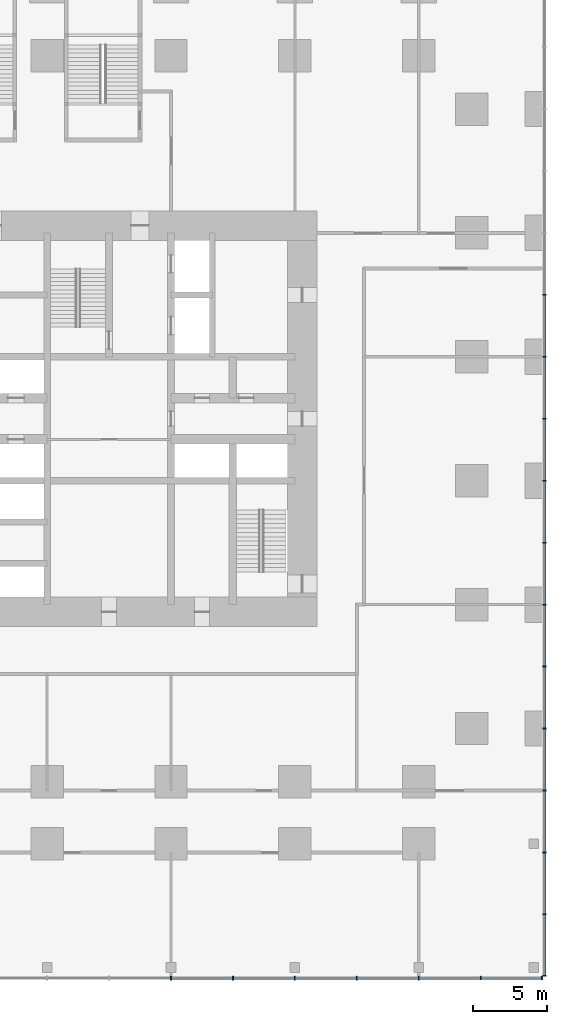
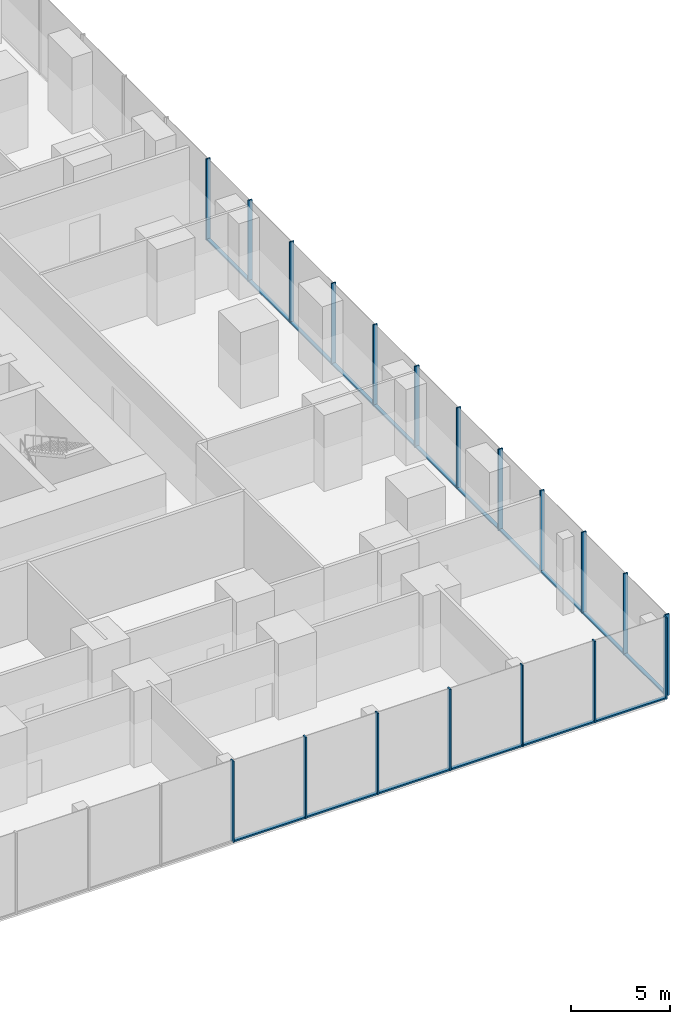
# One storey, part 19 of 33: 36 members, 2 elements without a shape of their own.
"""IFC4 building model written with IfcOpenShell, lengths in metres."""

import ifcopenshell
import ifcopenshell.guid

model = None  # the IFC model being written
_history = None  # IfcOwnerHistory: only IFC2X3 demands one
_inside = {}  # id of a spatial element -> (the spatial element, [elements in it])
_under = {}  # id of a project, library or spatial element -> (it, [spatial elements below it])
_declared = {}  # id of a project -> (the project, [libraries it declares])
_typed = {}  # id of a type object -> (the type object, [elements of that type])
_made_of = {}  # id of a material, layer set ... -> (it, [elements and type objects made of it])


def new_model(schema):
    """Start an empty IFC model of exactly this schema.

    Asked for "IFC4X3", IfcOpenShell would pick the latest addendum, in which some entities
    have other attributes; the version numbers below select the first issue.
    IFC2X3 requires an IfcOwnerHistory on every rooted entity: one is made here for all.
    """
    global model, _history
    if schema == "IFC4X3":
        model = ifcopenshell.file(schema_version=(4, 3, 0, 0))
    else:
        model = ifcopenshell.file(schema=schema)
    _inside.clear()
    _under.clear()
    _declared.clear()
    _typed.clear()
    _made_of.clear()
    _history = None
    if model.schema == "IFC2X3":
        org = make("IfcOrganization", Name="unknown")
        user = make(
            "IfcPersonAndOrganization",
            ThePerson=make("IfcPerson", FamilyName="unknown"),
            TheOrganization=org,
        )
        app = make(
            "IfcApplication",
            ApplicationDeveloper=org,
            Version="unknown",
            ApplicationFullName="unknown",
            ApplicationIdentifier="unknown",
        )
        _history = make(
            "IfcOwnerHistory",
            OwningUser=user,
            OwningApplication=app,
            ChangeAction="ADDED",
            CreationDate=0,
        )
    return model


def make(cls, **values):
    """One entity of the class cls with the attributes given. An attribute that is None is left unset."""
    return model.create_entity(
        cls, **{name: value for name, value in values.items() if value is not None}
    )


def rooted(cls, **values):
    """An entity with a GlobalId (a new one), such as an element, a storey or a relation."""
    return make(cls, GlobalId=ifcopenshell.guid.new(), OwnerHistory=_history, **values)


def si_unit(unit_type, name, prefix=None):
    """IfcSIUnit, for example si_unit("LENGTHUNIT", "METRE", prefix="MILLI")."""
    return make("IfcSIUnit", UnitType=unit_type, Prefix=prefix, Name=name)


def assignment(units):
    """IfcUnitAssignment: the units of a project."""
    return None if units is None else make("IfcUnitAssignment", Units=units)


def point(xyz):
    """IfcCartesianPoint."""
    return None if xyz is None else make("IfcCartesianPoint", Coordinates=xyz)


def direction(xyz):
    """IfcDirection."""
    return None if xyz is None else make("IfcDirection", DirectionRatios=xyz)


def frame(location, z_axis=None, x_axis=None):
    """IfcAxis2Placement3D, a coordinate frame: its origin and axes. An axis left out is left unset."""
    return make(
        "IfcAxis2Placement3D",
        Location=point(location),
        Axis=direction(z_axis),
        RefDirection=direction(x_axis),
    )


def frame_2d(location, x_axis=None):
    """IfcAxis2Placement2D, a coordinate frame in the plane: its origin and x axis."""
    return make(
        "IfcAxis2Placement2D", Location=point(location), RefDirection=direction(x_axis)
    )


def origin():
    """The frame at (0, 0, 0) with its axes left unset."""
    return frame((0.0, 0.0, 0.0))


def origin_2d():
    """The frame at (0, 0) in the plane with its x axis left unset."""
    return frame_2d((0.0, 0.0))


def place(relative_to, where):
    """IfcLocalPlacement: puts the frame where relative to a parent placement (None: the world)."""
    return make(
        "IfcLocalPlacement", PlacementRelTo=relative_to, RelativePlacement=where
    )


def context(
    kind, dimensions, precision=None, world=None, true_north=None, identifier=None
):
    """IfcGeometricRepresentationContext, for example the 3D "Model" context."""
    return make(
        "IfcGeometricRepresentationContext",
        ContextIdentifier=identifier,
        ContextType=kind,
        CoordinateSpaceDimension=dimensions,
        Precision=precision,
        WorldCoordinateSystem=world,
        TrueNorth=true_north,
    )


def subcontext(parent, identifier, kind, view, scale=None):
    """IfcGeometricRepresentationSubContext, for example "Body" below "Model"."""
    return make(
        "IfcGeometricRepresentationSubContext",
        ContextIdentifier=identifier,
        ContextType=kind,
        ParentContext=parent,
        TargetScale=scale,
        TargetView=view,
    )


def project(units=None, contexts=None):
    """IfcProject with its units and contexts."""
    return rooted(
        "IfcProject",
        Name="project",
        RepresentationContexts=contexts,
        UnitsInContext=assignment(units),
    )


def spatial(cls, under=None, at=None, **own):
    """A site, building, storey or space (cls), placed at a placement, below another one or the project."""
    s = rooted(cls, ObjectPlacement=at, **own)
    if under is not None:
        _under.setdefault(under.id(), (under, []))[1].append(s)
    return s


def profile(cls, at=None, kind="AREA", **sizes):
    """A parametric profile (cls). Its sizes go by their IFC names, for example OverallWidth=200.0."""
    return make(cls, ProfileType=kind, Position=at, **sizes)


def rectangle(**sizes):
    """IfcRectangleProfileDef."""
    return profile("IfcRectangleProfileDef", **sizes)


def extrude(swept, where, along, depth):
    """IfcExtrudedAreaSolid: the profile swept, set in the frame where, extruded along a direction by depth."""
    return make(
        "IfcExtrudedAreaSolid",
        SweptArea=swept,
        Position=where,
        ExtrudedDirection=direction(along),
        Depth=depth,
    )


def shape(context_of_items, identifier, shape_type, items):
    """IfcShapeRepresentation: the items that make up one representation, for example the "Body"."""
    return make(
        "IfcShapeRepresentation",
        ContextOfItems=context_of_items,
        RepresentationIdentifier=identifier,
        RepresentationType=shape_type,
        Items=items,
    )


def material(Name=None, Category=None):
    """IfcMaterial."""
    return make("IfcMaterial", Name=Name, Category=Category)


def material_profile(
    of_material, cross_section, Name=None, Category=None, Priority=None
):
    """IfcMaterialProfile: a cross section and its material."""
    return make(
        "IfcMaterialProfile",
        Name=Name,
        Material=of_material,
        Profile=cross_section,
        Priority=Priority,
        Category=Category,
    )


def profile_set(profiles, Name=None, composite=None):
    """IfcMaterialProfileSet."""
    return make(
        "IfcMaterialProfileSet",
        Name=Name,
        MaterialProfiles=profiles,
        CompositeProfile=composite,
    )


def made_of(thing, what):
    """Note that an element or type object is made of a material, layer set ...; save() writes the relation."""
    if what is not None:
        _made_of.setdefault(what.id(), (what, []))[1].append(thing)
    return thing


def type_object(cls, material=None, **own):
    """A type object (cls), such as IfcWallType, which elements share."""
    return made_of(rooted(cls, **own), material)


def element(
    cls,
    number,
    at=None,
    inside=None,
    cuts=None,
    type_object=None,
    material=None,
    context=None,
    identifier="Body",
    shape_type=None,
    held_by="IfcProductDefinitionShape",
    body=None,
    shapes=None,
    **own,
):
    """One element of the class cls, such as IfcWall. Its Tag is "e" and its number.

    at: its placement. inside: the storey or other place that contains it. cuts: it is an
    opening in that element (IfcRelVoidsElement). A single representation is given by context,
    identifier, shape_type and body (its items); several are given by shapes. held_by: the class
    of the entity that holds the representations. save() writes the other relations.
    """
    e = rooted(cls, Tag="e%d" % number, ObjectPlacement=at, **own)
    if body is not None:
        shapes = [shape(context, identifier, shape_type, body)]
    if shapes is not None:
        e.Representation = make(held_by, Representations=shapes)
    if inside is not None:
        _inside.setdefault(inside.id(), (inside, []))[1].append(e)
    if cuts is not None:
        rooted(
            "IfcRelVoidsElement", RelatingBuildingElement=cuts, RelatedOpeningElement=e
        )
    if type_object is not None:
        _typed.setdefault(type_object.id(), (type_object, []))[1].append(e)
    return made_of(e, material)


def aggregate(whole, parts):
    """IfcRelAggregates: a whole, such as a stair, and the parts it consists of."""
    return rooted("IfcRelAggregates", RelatingObject=whole, RelatedObjects=parts)


def save(model, path):
    """Write the relations noted so far, then the file.

    IfcRelAggregates (storeys below a building ...), IfcRelContainedInSpatialStructure (elements
    in a storey), IfcRelDefinesByType, IfcRelAssociatesMaterial and IfcRelDeclares: one each for
    every whole, place, type object, material and project.
    """
    for whole, parts in _under.values():
        aggregate(whole, parts)
    for where, things in _inside.values():
        rooted(
            "IfcRelContainedInSpatialStructure",
            RelatedElements=things,
            RelatingStructure=where,
        )
    for kind, things in _typed.values():
        rooted("IfcRelDefinesByType", RelatedObjects=things, RelatingType=kind)
    for what, things in _made_of.values():
        rooted("IfcRelAssociatesMaterial", RelatedObjects=things, RelatingMaterial=what)
    for by, libraries in _declared.values():
        rooted("IfcRelDeclares", RelatingContext=by, RelatedDefinitions=libraries)
    model.write(path)


model = new_model("IFC4")

# Units and contexts
model_context = context("Model", 3, precision=1e-05, world=origin(), true_north=direction((0.0, 1.0)))
body_context = subcontext(model_context, "Body", "Model", "MODEL_VIEW")
ifc_project = project(units=[si_unit("LENGTHUNIT", "METRE"), si_unit("AREAUNIT", "SQUARE_METRE"), si_unit("VOLUMEUNIT", "CUBIC_METRE"), si_unit("PLANEANGLEUNIT", "RADIAN"), si_unit("MASSUNIT", "GRAM", prefix="KILO")], contexts=[model_context])

# Site, building, storey
site_placement = place(None, origin())
site = spatial("IfcSite", under=ifc_project, at=site_placement, CompositionType="ELEMENT")
building_placement = place(site_placement, origin())
building = spatial("IfcBuilding", under=site, at=building_placement, Name="Dunama Terrace Hotel", CompositionType="ELEMENT")
storey_placement = place(building_placement, frame((0.0, 0.0, 12.0)))
storey = spatial("IfcBuildingStorey", under=building, at=storey_placement, Name="L02", CompositionType="ELEMENT", Elevation=12.0)

# Curtain wall, members
ifc_material_1 = material(Name="Aluminium curtain wall system", Category="aluminium")
curtain_wall_type = type_object("IfcCurtainWallType", Name="Podium storefront glazing CW-E", PredefinedType="NOTDEFINED", material=ifc_material_1)
curtain_wall_1_placement = place(storey_placement, origin())
curtain_wall_1 = element("IfcCurtainWall", 1, at=curtain_wall_1_placement, inside=storey, type_object=curtain_wall_type, Name="Podium storefront glazing CW-E L02", PredefinedType="NOTDEFINED")
ifc_material_2 = material(Name="Aluminium mullion", Category="aluminium")
ifc_material_profile_1 = material_profile(ifc_material_2, rectangle(XDim=0.080078125, YDim=0.25, at=origin_2d()), Name="CWE MULLION 80X250")
ifc_profile_set_1 = profile_set([ifc_material_profile_1], Name="Aluminium mullion")
member_type_1 = type_object("IfcMemberType", Name="CWE mullion 80x250", PredefinedType="MULLION", material=ifc_profile_set_1)
member_1_placement = place(storey_placement, frame((33.60009765625, -8.52490234375, 0.0), z_axis=(0.0, 0.0, 1.0), x_axis=(1.0, 0.0, 0.0)))
member_1 = element("IfcMember", 2, at=member_1_placement, type_object=member_type_1, Name="CWE mullion", PredefinedType="MULLION", context=body_context, shape_type="SweptSolid", body=[
    extrude(rectangle(XDim=0.080078125, YDim=0.25, at=origin_2d()), origin(), (0.0, 0.0, 1.0), 5.0),
])
member_2_placement = place(storey_placement, frame((37.800048828125, -8.52490234375, 0.0), z_axis=(0.0, 0.0, 1.0), x_axis=(1.0, 0.0, 0.0)))
member_2 = element("IfcMember", 3, at=member_2_placement, type_object=member_type_1, Name="CWE mullion", PredefinedType="MULLION", context=body_context, shape_type="SweptSolid", body=[
    extrude(rectangle(XDim=0.080078125, YDim=0.25, at=origin_2d()), origin(), (0.0, 0.0, 1.0), 5.0),
])
member_3_placement = place(storey_placement, frame((42.0, -8.52490234375, 0.0), z_axis=(0.0, 0.0, 1.0), x_axis=(1.0, 0.0, 0.0)))
member_3 = element("IfcMember", 4, at=member_3_placement, type_object=member_type_1, Name="CWE mullion", PredefinedType="MULLION", context=body_context, shape_type="SweptSolid", body=[
    extrude(rectangle(XDim=0.080078125, YDim=0.25, at=origin_2d()), origin(), (0.0, 0.0, 1.0), 5.0),
])
member_4_placement = place(storey_placement, frame((46.199951171875, -8.52490234375, 0.0), z_axis=(0.0, 0.0, 1.0), x_axis=(1.0, 0.0, 0.0)))
member_4 = element("IfcMember", 5, at=member_4_placement, type_object=member_type_1, Name="CWE mullion", PredefinedType="MULLION", context=body_context, shape_type="SweptSolid", body=[
    extrude(rectangle(XDim=0.080078125, YDim=0.25, at=origin_2d()), origin(), (0.0, 0.0, 1.0), 5.0),
])
member_5_placement = place(storey_placement, frame((50.39990234375, -8.52490234375, 0.0), z_axis=(0.0, 0.0, 1.0), x_axis=(1.0, 0.0, 0.0)))
member_5 = element("IfcMember", 6, at=member_5_placement, type_object=member_type_1, Name="CWE mullion", PredefinedType="MULLION", context=body_context, shape_type="SweptSolid", body=[
    extrude(rectangle(XDim=0.080078125, YDim=0.25, at=origin_2d()), origin(), (0.0, 0.0, 1.0), 5.0),
])
member_6_placement = place(storey_placement, frame((54.60009765625, -8.52490234375, 0.0), z_axis=(0.0, 0.0, 1.0), x_axis=(1.0, 0.0, 0.0)))
member_6 = element("IfcMember", 7, at=member_6_placement, type_object=member_type_1, Name="CWE mullion", PredefinedType="MULLION", context=body_context, shape_type="SweptSolid", body=[
    extrude(rectangle(XDim=0.080078125, YDim=0.25, at=origin_2d()), origin(), (0.0, 0.0, 1.0), 5.0),
])
member_7_placement = place(storey_placement, frame((58.760009765625, -8.52490234375, 0.0), z_axis=(0.0, 0.0, 1.0), x_axis=(1.0, 0.0, 0.0)))
member_7 = element("IfcMember", 8, at=member_7_placement, type_object=member_type_1, Name="CWE mullion", PredefinedType="MULLION", context=body_context, shape_type="SweptSolid", body=[
    extrude(rectangle(XDim=0.080078125, YDim=0.25, at=origin_2d()), origin(), (0.0, 0.0, 1.0), 5.0),
])

curtain_wall_2_placement = place(storey_placement, origin())
curtain_wall_2 = element("IfcCurtainWall", 9, at=curtain_wall_2_placement, inside=storey, type_object=curtain_wall_type, Name="Podium storefront glazing CW-E L02", PredefinedType="NOTDEFINED")
member_8_placement = place(storey_placement, frame((58.925048828125, -8.360107421875, 0.0), z_axis=(0.0, 0.0, 1.0), x_axis=(0.0, 1.0, 0.0)))
member_8 = element("IfcMember", 10, at=member_8_placement, type_object=member_type_1, Name="CWE mullion", PredefinedType="MULLION", context=body_context, shape_type="SweptSolid", body=[
    extrude(rectangle(XDim=0.080078125, YDim=0.25, at=origin_2d()), origin(), (0.0, 0.0, 1.0), 5.0),
])
member_9_placement = place(storey_placement, frame((58.925048828125, -4.199951171875, 0.0), z_axis=(0.0, 0.0, 1.0), x_axis=(0.0, 1.0, 0.0)))
member_9 = element("IfcMember", 11, at=member_9_placement, type_object=member_type_1, Name="CWE mullion", PredefinedType="MULLION", context=body_context, shape_type="SweptSolid", body=[
    extrude(rectangle(XDim=0.080078125, YDim=0.25, at=origin_2d()), origin(), (0.0, 0.0, 1.0), 5.0),
])
member_10_placement = place(storey_placement, frame((58.925048828125, 0.0, 0.0), z_axis=(0.0, 0.0, 1.0), x_axis=(0.0, 1.0, 0.0)))
member_10 = element("IfcMember", 12, at=member_10_placement, type_object=member_type_1, Name="CWE mullion", PredefinedType="MULLION", context=body_context, shape_type="SweptSolid", body=[
    extrude(rectangle(XDim=0.080078125, YDim=0.25, at=origin_2d()), origin(), (0.0, 0.0, 1.0), 5.0),
])
member_11_placement = place(storey_placement, frame((58.925048828125, 4.199951171875, 0.0), z_axis=(0.0, 0.0, 1.0), x_axis=(0.0, 1.0, 0.0)))
member_11 = element("IfcMember", 13, at=member_11_placement, type_object=member_type_1, Name="CWE mullion", PredefinedType="MULLION", context=body_context, shape_type="SweptSolid", body=[
    extrude(rectangle(XDim=0.080078125, YDim=0.25, at=origin_2d()), origin(), (0.0, 0.0, 1.0), 5.0),
])
member_12_placement = place(storey_placement, frame((58.925048828125, 8.39990234375, 0.0), z_axis=(0.0, 0.0, 1.0), x_axis=(0.0, 1.0, 0.0)))
member_12 = element("IfcMember", 14, at=member_12_placement, type_object=member_type_1, Name="CWE mullion", PredefinedType="MULLION", context=body_context, shape_type="SweptSolid", body=[
    extrude(rectangle(XDim=0.080078125, YDim=0.25, at=origin_2d()), origin(), (0.0, 0.0, 1.0), 5.0),
])
member_13_placement = place(storey_placement, frame((58.925048828125, 12.60009765625, 0.0), z_axis=(0.0, 0.0, 1.0), x_axis=(0.0, 1.0, 0.0)))
member_13 = element("IfcMember", 15, at=member_13_placement, type_object=member_type_1, Name="CWE mullion", PredefinedType="MULLION", context=body_context, shape_type="SweptSolid", body=[
    extrude(rectangle(XDim=0.080078125, YDim=0.25, at=origin_2d()), origin(), (0.0, 0.0, 1.0), 5.0),
])
member_14_placement = place(storey_placement, frame((58.925048828125, 16.800048828125, 0.0), z_axis=(0.0, 0.0, 1.0), x_axis=(0.0, 1.0, 0.0)))
member_14 = element("IfcMember", 16, at=member_14_placement, type_object=member_type_1, Name="CWE mullion", PredefinedType="MULLION", context=body_context, shape_type="SweptSolid", body=[
    extrude(rectangle(XDim=0.080078125, YDim=0.25, at=origin_2d()), origin(), (0.0, 0.0, 1.0), 5.0),
])
member_15_placement = place(storey_placement, frame((58.925048828125, 21.0, 0.0), z_axis=(0.0, 0.0, 1.0), x_axis=(0.0, 1.0, 0.0)))
member_15 = element("IfcMember", 17, at=member_15_placement, type_object=member_type_1, Name="CWE mullion", PredefinedType="MULLION", context=body_context, shape_type="SweptSolid", body=[
    extrude(rectangle(XDim=0.080078125, YDim=0.25, at=origin_2d()), origin(), (0.0, 0.0, 1.0), 5.0),
])
member_16_placement = place(storey_placement, frame((58.925048828125, 25.199951171875, 0.0), z_axis=(0.0, 0.0, 1.0), x_axis=(0.0, 1.0, 0.0)))
member_16 = element("IfcMember", 18, at=member_16_placement, type_object=member_type_1, Name="CWE mullion", PredefinedType="MULLION", context=body_context, shape_type="SweptSolid", body=[
    extrude(rectangle(XDim=0.080078125, YDim=0.25, at=origin_2d()), origin(), (0.0, 0.0, 1.0), 5.0),
])
member_17_placement = place(storey_placement, frame((58.925048828125, 29.39990234375, 0.0), z_axis=(0.0, 0.0, 1.0), x_axis=(0.0, 1.0, 0.0)))
member_17 = element("IfcMember", 19, at=member_17_placement, type_object=member_type_1, Name="CWE mullion", PredefinedType="MULLION", context=body_context, shape_type="SweptSolid", body=[
    extrude(rectangle(XDim=0.080078125, YDim=0.25, at=origin_2d()), origin(), (0.0, 0.0, 1.0), 5.0),
])
member_18_placement = place(storey_placement, frame((58.925048828125, 33.60009765625, 0.0), z_axis=(0.0, 0.0, 1.0), x_axis=(0.0, 1.0, 0.0)))
member_18 = element("IfcMember", 20, at=member_18_placement, type_object=member_type_1, Name="CWE mullion", PredefinedType="MULLION", context=body_context, shape_type="SweptSolid", body=[
    extrude(rectangle(XDim=0.080078125, YDim=0.25, at=origin_2d()), origin(), (0.0, 0.0, 1.0), 5.0),
])
member_19_placement = place(storey_placement, frame((58.925048828125, 37.800048828125, 0.0), z_axis=(0.0, 0.0, 1.0), x_axis=(0.0, 1.0, 0.0)))
member_19 = element("IfcMember", 21, at=member_19_placement, type_object=member_type_1, Name="CWE mullion", PredefinedType="MULLION", context=body_context, shape_type="SweptSolid", body=[
    extrude(rectangle(XDim=0.080078125, YDim=0.25, at=origin_2d()), origin(), (0.0, 0.0, 1.0), 5.0),
])

# Member
ifc_material_3 = material(Name="Aluminium transom", Category="aluminium")
ifc_material_profile_2 = material_profile(ifc_material_3, rectangle(XDim=0.199951171875, YDim=0.090087890625, at=origin_2d()), Name="CWE TRANSOM 200X90")
ifc_profile_set_2 = profile_set([ifc_material_profile_2], Name="Aluminium transom")
member_type_2 = type_object("IfcMemberType", Name="CWE transom 200x90", PredefinedType="USERDEFINED", material=ifc_profile_set_2)
member_20_placement = place(storey_placement, frame((33.639892578125, -8.52490234375, 0.044921875), z_axis=(1.0, 0.0, 0.0), x_axis=(0.0, 1.0, 0.0)))
member_20 = element("IfcMember", 22, at=member_20_placement, type_object=member_type_2, Name="CWE transom", ObjectType="TRANSOM", PredefinedType="USERDEFINED", context=body_context, shape_type="SweptSolid", body=[
    extrude(rectangle(XDim=0.199951171875, YDim=0.090087890625, at=origin_2d()), origin(), (0.0, 0.0, 1.0), 4.1201171875),
])

member_21_placement = place(storey_placement, frame((37.840087890625, -8.52490234375, 0.044921875), z_axis=(1.0, 0.0, 0.0), x_axis=(0.0, 1.0, 0.0)))
member_21 = element("IfcMember", 23, at=member_21_placement, type_object=member_type_2, Name="CWE transom", ObjectType="TRANSOM", PredefinedType="USERDEFINED", context=body_context, shape_type="SweptSolid", body=[
    extrude(rectangle(XDim=0.199951171875, YDim=0.090087890625, at=origin_2d()), origin(), (0.0, 0.0, 1.0), 4.119873046875),
])

member_22_placement = place(storey_placement, frame((42.0400390625, -8.52490234375, 0.044921875), z_axis=(1.0, 0.0, 0.0), x_axis=(0.0, 1.0, 0.0)))
member_22 = element("IfcMember", 24, at=member_22_placement, type_object=member_type_2, Name="CWE transom", ObjectType="TRANSOM", PredefinedType="USERDEFINED", context=body_context, shape_type="SweptSolid", body=[
    extrude(rectangle(XDim=0.199951171875, YDim=0.090087890625, at=origin_2d()), origin(), (0.0, 0.0, 1.0), 4.119873046875),
])

member_23_placement = place(storey_placement, frame((46.239990234375, -8.52490234375, 0.044921875), z_axis=(1.0, 0.0, 0.0), x_axis=(0.0, 1.0, 0.0)))
member_23 = element("IfcMember", 25, at=member_23_placement, type_object=member_type_2, Name="CWE transom", ObjectType="TRANSOM", PredefinedType="USERDEFINED", context=body_context, shape_type="SweptSolid", body=[
    extrude(rectangle(XDim=0.199951171875, YDim=0.090087890625, at=origin_2d()), origin(), (0.0, 0.0, 1.0), 4.1201171875),
])

member_24_placement = place(storey_placement, frame((50.43994140625, -8.52490234375, 0.044921875), z_axis=(1.0, 0.0, 0.0), x_axis=(0.0, 1.0, 0.0)))
member_24 = element("IfcMember", 26, at=member_24_placement, type_object=member_type_2, Name="CWE transom", ObjectType="TRANSOM", PredefinedType="USERDEFINED", context=body_context, shape_type="SweptSolid", body=[
    extrude(rectangle(XDim=0.199951171875, YDim=0.090087890625, at=origin_2d()), origin(), (0.0, 0.0, 1.0), 4.1201171875),
])

member_25_placement = place(storey_placement, frame((54.639892578125, -8.52490234375, 0.044921875), z_axis=(1.0, 0.0, 0.0), x_axis=(0.0, 1.0, 0.0)))
member_25 = element("IfcMember", 27, at=member_25_placement, type_object=member_type_2, Name="CWE transom", ObjectType="TRANSOM", PredefinedType="USERDEFINED", context=body_context, shape_type="SweptSolid", body=[
    extrude(rectangle(XDim=0.199951171875, YDim=0.090087890625, at=origin_2d()), origin(), (0.0, 0.0, 1.0), 4.080078125),
])

aggregate(curtain_wall_1, [member_1, member_2, member_3, member_4, member_5, member_6, member_7, member_20, member_21, member_22, member_23, member_24, member_25])

member_26_placement = place(storey_placement, frame((58.925048828125, -8.320068359375, 0.044921875), z_axis=(0.0, 1.0, 0.0), x_axis=(-1.0, 0.0, 0.0)))
member_26 = element("IfcMember", 28, at=member_26_placement, type_object=member_type_2, Name="CWE transom", ObjectType="TRANSOM", PredefinedType="USERDEFINED", context=body_context, shape_type="SweptSolid", body=[
    extrude(rectangle(XDim=0.199951171875, YDim=0.090087890625, at=origin_2d()), origin(), (0.0, 0.0, 1.0), 4.080078125),
])

member_27_placement = place(storey_placement, frame((58.925048828125, -4.159912109375, 0.044921875), z_axis=(0.0, 1.0, 0.0), x_axis=(-1.0, 0.0, 0.0)))
member_27 = element("IfcMember", 29, at=member_27_placement, type_object=member_type_2, Name="CWE transom", ObjectType="TRANSOM", PredefinedType="USERDEFINED", context=body_context, shape_type="SweptSolid", body=[
    extrude(rectangle(XDim=0.199951171875, YDim=0.090087890625, at=origin_2d()), origin(), (0.0, 0.0, 1.0), 4.119873046875),
])

member_28_placement = place(storey_placement, frame((58.925048828125, 0.0400390625, 0.044921875), z_axis=(0.0, 1.0, 0.0), x_axis=(-1.0, 0.0, 0.0)))
member_28 = element("IfcMember", 30, at=member_28_placement, type_object=member_type_2, Name="CWE transom", ObjectType="TRANSOM", PredefinedType="USERDEFINED", context=body_context, shape_type="SweptSolid", body=[
    extrude(rectangle(XDim=0.199951171875, YDim=0.090087890625, at=origin_2d()), origin(), (0.0, 0.0, 1.0), 4.119873046875),
])

member_29_placement = place(storey_placement, frame((58.925048828125, 4.239990234375, 0.044921875), z_axis=(0.0, 1.0, 0.0), x_axis=(-1.0, 0.0, 0.0)))
member_29 = element("IfcMember", 31, at=member_29_placement, type_object=member_type_2, Name="CWE transom", ObjectType="TRANSOM", PredefinedType="USERDEFINED", context=body_context, shape_type="SweptSolid", body=[
    extrude(rectangle(XDim=0.199951171875, YDim=0.090087890625, at=origin_2d()), origin(), (0.0, 0.0, 1.0), 4.1201171875),
])

member_30_placement = place(storey_placement, frame((58.925048828125, 8.43994140625, 0.044921875), z_axis=(0.0, 1.0, 0.0), x_axis=(-1.0, 0.0, 0.0)))
member_30 = element("IfcMember", 32, at=member_30_placement, type_object=member_type_2, Name="CWE transom", ObjectType="TRANSOM", PredefinedType="USERDEFINED", context=body_context, shape_type="SweptSolid", body=[
    extrude(rectangle(XDim=0.199951171875, YDim=0.090087890625, at=origin_2d()), origin(), (0.0, 0.0, 1.0), 4.1201171875),
])

member_31_placement = place(storey_placement, frame((58.925048828125, 12.639892578125, 0.044921875), z_axis=(0.0, 1.0, 0.0), x_axis=(-1.0, 0.0, 0.0)))
member_31 = element("IfcMember", 33, at=member_31_placement, type_object=member_type_2, Name="CWE transom", ObjectType="TRANSOM", PredefinedType="USERDEFINED", context=body_context, shape_type="SweptSolid", body=[
    extrude(rectangle(XDim=0.199951171875, YDim=0.090087890625, at=origin_2d()), origin(), (0.0, 0.0, 1.0), 4.1201171875),
])

member_32_placement = place(storey_placement, frame((58.925048828125, 16.840087890625, 0.044921875), z_axis=(0.0, 1.0, 0.0), x_axis=(-1.0, 0.0, 0.0)))
member_32 = element("IfcMember", 34, at=member_32_placement, type_object=member_type_2, Name="CWE transom", ObjectType="TRANSOM", PredefinedType="USERDEFINED", context=body_context, shape_type="SweptSolid", body=[
    extrude(rectangle(XDim=0.199951171875, YDim=0.090087890625, at=origin_2d()), origin(), (0.0, 0.0, 1.0), 4.119873046875),
])

member_33_placement = place(storey_placement, frame((58.925048828125, 21.0400390625, 0.044921875), z_axis=(0.0, 1.0, 0.0), x_axis=(-1.0, 0.0, 0.0)))
member_33 = element("IfcMember", 35, at=member_33_placement, type_object=member_type_2, Name="CWE transom", ObjectType="TRANSOM", PredefinedType="USERDEFINED", context=body_context, shape_type="SweptSolid", body=[
    extrude(rectangle(XDim=0.199951171875, YDim=0.090087890625, at=origin_2d()), origin(), (0.0, 0.0, 1.0), 4.119873046875),
])

member_34_placement = place(storey_placement, frame((58.925048828125, 25.239990234375, 0.044921875), z_axis=(0.0, 1.0, 0.0), x_axis=(-1.0, 0.0, 0.0)))
member_34 = element("IfcMember", 36, at=member_34_placement, type_object=member_type_2, Name="CWE transom", ObjectType="TRANSOM", PredefinedType="USERDEFINED", context=body_context, shape_type="SweptSolid", body=[
    extrude(rectangle(XDim=0.199951171875, YDim=0.090087890625, at=origin_2d()), origin(), (0.0, 0.0, 1.0), 4.1201171875),
])

member_35_placement = place(storey_placement, frame((58.925048828125, 29.43994140625, 0.044921875), z_axis=(0.0, 1.0, 0.0), x_axis=(-1.0, 0.0, 0.0)))
member_35 = element("IfcMember", 37, at=member_35_placement, type_object=member_type_2, Name="CWE transom", ObjectType="TRANSOM", PredefinedType="USERDEFINED", context=body_context, shape_type="SweptSolid", body=[
    extrude(rectangle(XDim=0.199951171875, YDim=0.090087890625, at=origin_2d()), origin(), (0.0, 0.0, 1.0), 4.1201171875),
])

member_36_placement = place(storey_placement, frame((58.925048828125, 33.639892578125, 0.044921875), z_axis=(0.0, 1.0, 0.0), x_axis=(-1.0, 0.0, 0.0)))
member_36 = element("IfcMember", 38, at=member_36_placement, type_object=member_type_2, Name="CWE transom", ObjectType="TRANSOM", PredefinedType="USERDEFINED", context=body_context, shape_type="SweptSolid", body=[
    extrude(rectangle(XDim=0.199951171875, YDim=0.090087890625, at=origin_2d()), origin(), (0.0, 0.0, 1.0), 4.1201171875),
])

aggregate(curtain_wall_2, [member_8, member_9, member_10, member_11, member_12, member_13, member_14, member_15, member_16, member_17, member_18, member_19, member_26, member_27, member_28, member_29, member_30, member_31, member_32, member_33, member_34, member_35, member_36])

save(model, "model.ifc")
